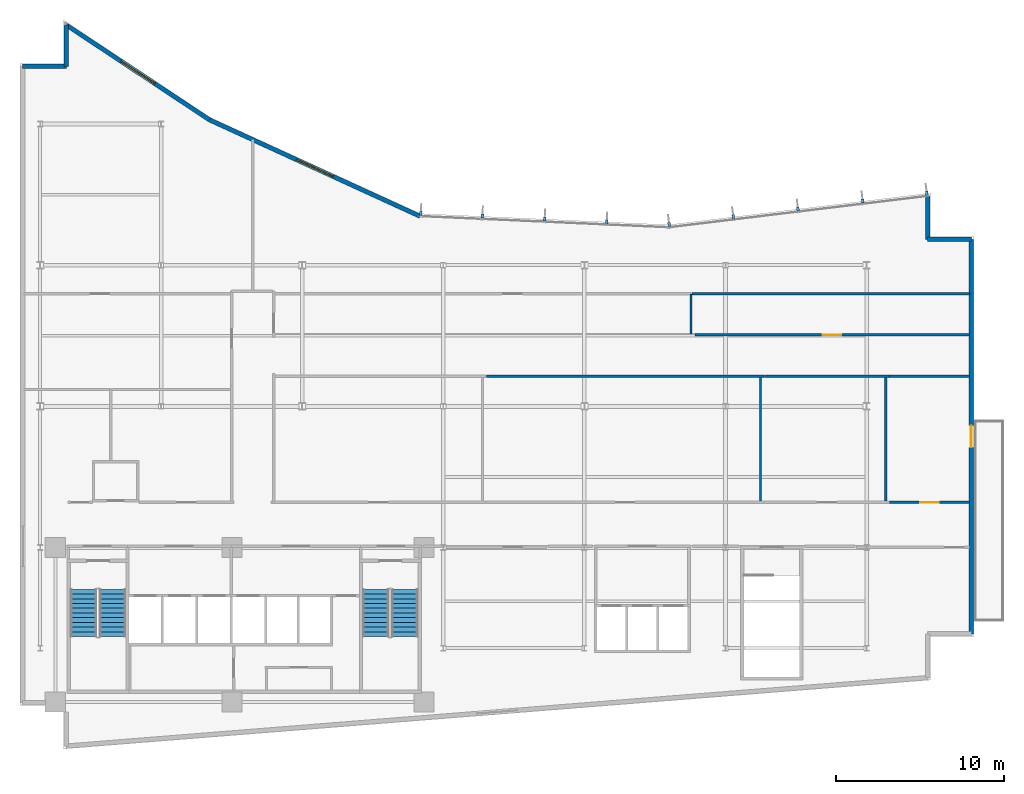
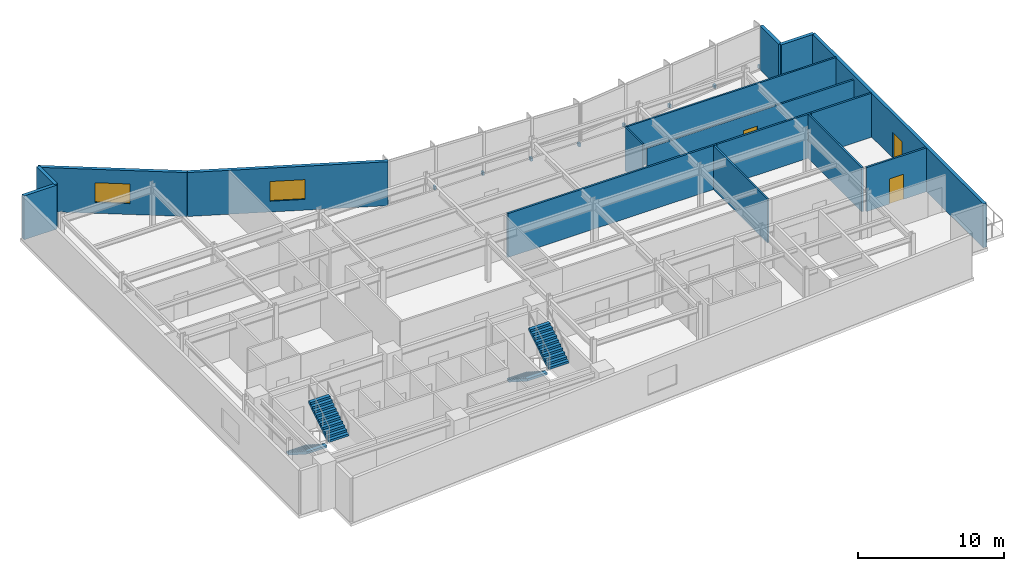
# One storey, part 12 of 16: 16 walls, 9 discrete accessories, 4 stair flights, 3 doors, 2 windows, 5 openings, 2 elements without a shape of their own.
"""IFC4 building model written with IfcOpenShell, lengths in metres."""

import ifcopenshell
import ifcopenshell.guid

model = None  # the IFC model being written
_history = None  # IfcOwnerHistory: only IFC2X3 demands one
_inside = {}  # id of a spatial element -> (the spatial element, [elements in it])
_under = {}  # id of a project, library or spatial element -> (it, [spatial elements below it])
_declared = {}  # id of a project -> (the project, [libraries it declares])
_typed = {}  # id of a type object -> (the type object, [elements of that type])
_made_of = {}  # id of a material, layer set ... -> (it, [elements and type objects made of it])


def new_model(schema):
    """Start an empty IFC model of exactly this schema.

    Asked for "IFC4X3", IfcOpenShell would pick the latest addendum, in which some entities
    have other attributes; the version numbers below select the first issue.
    IFC2X3 requires an IfcOwnerHistory on every rooted entity: one is made here for all.
    """
    global model, _history
    if schema == "IFC4X3":
        model = ifcopenshell.file(schema_version=(4, 3, 0, 0))
    else:
        model = ifcopenshell.file(schema=schema)
    _inside.clear()
    _under.clear()
    _declared.clear()
    _typed.clear()
    _made_of.clear()
    _history = None
    if model.schema == "IFC2X3":
        org = make("IfcOrganization", Name="unknown")
        user = make(
            "IfcPersonAndOrganization",
            ThePerson=make("IfcPerson", FamilyName="unknown"),
            TheOrganization=org,
        )
        app = make(
            "IfcApplication",
            ApplicationDeveloper=org,
            Version="unknown",
            ApplicationFullName="unknown",
            ApplicationIdentifier="unknown",
        )
        _history = make(
            "IfcOwnerHistory",
            OwningUser=user,
            OwningApplication=app,
            ChangeAction="ADDED",
            CreationDate=0,
        )
    return model


def make(cls, **values):
    """One entity of the class cls with the attributes given. An attribute that is None is left unset."""
    return model.create_entity(
        cls, **{name: value for name, value in values.items() if value is not None}
    )


def rooted(cls, **values):
    """An entity with a GlobalId (a new one), such as an element, a storey or a relation."""
    return make(cls, GlobalId=ifcopenshell.guid.new(), OwnerHistory=_history, **values)


def si_unit(unit_type, name, prefix=None):
    """IfcSIUnit, for example si_unit("LENGTHUNIT", "METRE", prefix="MILLI")."""
    return make("IfcSIUnit", UnitType=unit_type, Prefix=prefix, Name=name)


def assignment(units):
    """IfcUnitAssignment: the units of a project."""
    return None if units is None else make("IfcUnitAssignment", Units=units)


def point(xyz):
    """IfcCartesianPoint."""
    return None if xyz is None else make("IfcCartesianPoint", Coordinates=xyz)


def direction(xyz):
    """IfcDirection."""
    return None if xyz is None else make("IfcDirection", DirectionRatios=xyz)


def frame(location, z_axis=None, x_axis=None):
    """IfcAxis2Placement3D, a coordinate frame: its origin and axes. An axis left out is left unset."""
    return make(
        "IfcAxis2Placement3D",
        Location=point(location),
        Axis=direction(z_axis),
        RefDirection=direction(x_axis),
    )


def frame_2d(location, x_axis=None):
    """IfcAxis2Placement2D, a coordinate frame in the plane: its origin and x axis."""
    return make(
        "IfcAxis2Placement2D", Location=point(location), RefDirection=direction(x_axis)
    )


def origin():
    """The frame at (0, 0, 0) with its axes left unset."""
    return frame((0.0, 0.0, 0.0))


def origin_2d():
    """The frame at (0, 0) in the plane with its x axis left unset."""
    return frame_2d((0.0, 0.0))


def place(relative_to, where):
    """IfcLocalPlacement: puts the frame where relative to a parent placement (None: the world)."""
    return make(
        "IfcLocalPlacement", PlacementRelTo=relative_to, RelativePlacement=where
    )


def context(
    kind, dimensions, precision=None, world=None, true_north=None, identifier=None
):
    """IfcGeometricRepresentationContext, for example the 3D "Model" context."""
    return make(
        "IfcGeometricRepresentationContext",
        ContextIdentifier=identifier,
        ContextType=kind,
        CoordinateSpaceDimension=dimensions,
        Precision=precision,
        WorldCoordinateSystem=world,
        TrueNorth=true_north,
    )


def subcontext(parent, identifier, kind, view, scale=None):
    """IfcGeometricRepresentationSubContext, for example "Body" below "Model"."""
    return make(
        "IfcGeometricRepresentationSubContext",
        ContextIdentifier=identifier,
        ContextType=kind,
        ParentContext=parent,
        TargetScale=scale,
        TargetView=view,
    )


def project(units=None, contexts=None):
    """IfcProject with its units and contexts."""
    return rooted(
        "IfcProject",
        Name="project",
        RepresentationContexts=contexts,
        UnitsInContext=assignment(units),
    )


def spatial(cls, under=None, at=None, **own):
    """A site, building, storey or space (cls), placed at a placement, below another one or the project."""
    s = rooted(cls, ObjectPlacement=at, **own)
    if under is not None:
        _under.setdefault(under.id(), (under, []))[1].append(s)
    return s


def polyline(points):
    """IfcPolyline through the points."""
    return make("IfcPolyline", Points=[point(p) for p in points])


def profile(cls, at=None, kind="AREA", **sizes):
    """A parametric profile (cls). Its sizes go by their IFC names, for example OverallWidth=200.0."""
    return make(cls, ProfileType=kind, Position=at, **sizes)


def rectangle(**sizes):
    """IfcRectangleProfileDef."""
    return profile("IfcRectangleProfileDef", **sizes)


def outline(outer, holes=None, kind="AREA"):
    """IfcArbitraryClosedProfileDef: a profile drawn as a closed curve; with holes, ...WithVoids."""
    if holes is None:
        return make("IfcArbitraryClosedProfileDef", ProfileType=kind, OuterCurve=outer)
    return make(
        "IfcArbitraryProfileDefWithVoids",
        ProfileType=kind,
        OuterCurve=outer,
        InnerCurves=holes,
    )


def extrude(swept, where, along, depth):
    """IfcExtrudedAreaSolid: the profile swept, set in the frame where, extruded along a direction by depth."""
    return make(
        "IfcExtrudedAreaSolid",
        SweptArea=swept,
        Position=where,
        ExtrudedDirection=direction(along),
        Depth=depth,
    )


def shape(context_of_items, identifier, shape_type, items):
    """IfcShapeRepresentation: the items that make up one representation, for example the "Body"."""
    return make(
        "IfcShapeRepresentation",
        ContextOfItems=context_of_items,
        RepresentationIdentifier=identifier,
        RepresentationType=shape_type,
        Items=items,
    )


def material(Name=None, Category=None):
    """IfcMaterial."""
    return make("IfcMaterial", Name=Name, Category=Category)


def layer(
    of_material, thickness, ventilated=None, Name=None, Category=None, Priority=None
):
    """IfcMaterialLayer: one layer of a wall or slab, of a material (None: an air gap)."""
    return make(
        "IfcMaterialLayer",
        Material=of_material,
        LayerThickness=thickness,
        IsVentilated=ventilated,
        Name=Name,
        Category=Category,
        Priority=Priority,
    )


def layer_set(layers, Name=None):
    """IfcMaterialLayerSet."""
    return make("IfcMaterialLayerSet", MaterialLayers=layers, LayerSetName=Name)


def made_of(thing, what):
    """Note that an element or type object is made of a material, layer set ...; save() writes the relation."""
    if what is not None:
        _made_of.setdefault(what.id(), (what, []))[1].append(thing)
    return thing


def type_object(cls, material=None, **own):
    """A type object (cls), such as IfcWallType, which elements share."""
    return made_of(rooted(cls, **own), material)


def element(
    cls,
    number,
    at=None,
    inside=None,
    cuts=None,
    type_object=None,
    material=None,
    context=None,
    identifier="Body",
    shape_type=None,
    held_by="IfcProductDefinitionShape",
    body=None,
    shapes=None,
    **own,
):
    """One element of the class cls, such as IfcWall. Its Tag is "e" and its number.

    at: its placement. inside: the storey or other place that contains it. cuts: it is an
    opening in that element (IfcRelVoidsElement). A single representation is given by context,
    identifier, shape_type and body (its items); several are given by shapes. held_by: the class
    of the entity that holds the representations. save() writes the other relations.
    """
    e = rooted(cls, Tag="e%d" % number, ObjectPlacement=at, **own)
    if body is not None:
        shapes = [shape(context, identifier, shape_type, body)]
    if shapes is not None:
        e.Representation = make(held_by, Representations=shapes)
    if inside is not None:
        _inside.setdefault(inside.id(), (inside, []))[1].append(e)
    if cuts is not None:
        rooted(
            "IfcRelVoidsElement", RelatingBuildingElement=cuts, RelatedOpeningElement=e
        )
    if type_object is not None:
        _typed.setdefault(type_object.id(), (type_object, []))[1].append(e)
    return made_of(e, material)


def fill(opening, filler):
    """IfcRelFillsElement: the door or window that sits in an opening."""
    return rooted(
        "IfcRelFillsElement",
        RelatingOpeningElement=opening,
        RelatedBuildingElement=filler,
    )


def aggregate(whole, parts):
    """IfcRelAggregates: a whole, such as a stair, and the parts it consists of."""
    return rooted("IfcRelAggregates", RelatingObject=whole, RelatedObjects=parts)


def save(model, path):
    """Write the relations noted so far, then the file.

    IfcRelAggregates (storeys below a building ...), IfcRelContainedInSpatialStructure (elements
    in a storey), IfcRelDefinesByType, IfcRelAssociatesMaterial and IfcRelDeclares: one each for
    every whole, place, type object, material and project.
    """
    for whole, parts in _under.values():
        aggregate(whole, parts)
    for where, things in _inside.values():
        rooted(
            "IfcRelContainedInSpatialStructure",
            RelatedElements=things,
            RelatingStructure=where,
        )
    for kind, things in _typed.values():
        rooted("IfcRelDefinesByType", RelatedObjects=things, RelatingType=kind)
    for what, things in _made_of.values():
        rooted("IfcRelAssociatesMaterial", RelatedObjects=things, RelatingMaterial=what)
    for by, libraries in _declared.values():
        rooted("IfcRelDeclares", RelatingContext=by, RelatedDefinitions=libraries)
    model.write(path)


model = new_model("IFC4")

# Units and contexts
model_context = context("Model", 3, precision=1e-05, world=origin(), true_north=direction((0.0, 1.0)))
body_context = subcontext(model_context, "Body", "Model", "MODEL_VIEW")
ifc_project = project(units=[si_unit("LENGTHUNIT", "METRE"), si_unit("AREAUNIT", "SQUARE_METRE"), si_unit("VOLUMEUNIT", "CUBIC_METRE"), si_unit("PLANEANGLEUNIT", "RADIAN"), si_unit("MASSUNIT", "GRAM", prefix="KILO")], contexts=[model_context])

# Site, building, storey
site_placement = place(None, origin())
site = spatial("IfcSite", under=ifc_project, at=site_placement, CompositionType="ELEMENT")
building_placement = place(site_placement, origin())
building = spatial("IfcBuilding", under=site, at=building_placement, Name="Varnakote Quay Hospital", CompositionType="ELEMENT")
storey_placement = place(building_placement, frame((0.0, 0.0, 170.5)))
storey = spatial("IfcBuildingStorey", under=building, at=storey_placement, Name="L42", CompositionType="ELEMENT", Elevation=170.5)

# Wall, opening, door
ifc_material_1 = material(Name="Precast concrete N50 (f'c 50 MPa)", Category="concrete")
ifc_layer_1 = layer(ifc_material_1, 0.260009765625)
ifc_layer_set_1 = layer_set([ifc_layer_1], Name="Precast concrete N50 (f'c 50 MPa)")
wall_type_1 = type_object("IfcWallType", Name="WL-EXT-BRICK-260", PredefinedType="STANDARD", material=ifc_layer_set_1)
wall_1_placement = place(storey_placement, frame((56.639892578125, 6.860107421875, 0.0), z_axis=(0.0, 0.0, 1.0), x_axis=(0.0, 1.0, 0.0)))
wall_1 = element("IfcWall", 1, at=wall_1_placement, inside=storey, type_object=wall_type_1, Name="L42 Healing Terrace Portal Brick Wall", PredefinedType="STANDARD", context=body_context, shape_type="SweptSolid", body=[
    extrude(rectangle(XDim=23.47998046875, YDim=0.260009765625, at=frame_2d((11.739990234375, 0.0))), origin(), (0.0, 0.0, 1.0), 3.669921875),
])
opening_1_placement = place(wall_1_placement, frame((11.090087890625, 0.0, 0.0)))
opening_1 = element("IfcOpeningElement", 2, at=opening_1_placement, cuts=wall_1, Name="Opening DT-L42", PredefinedType="OPENING", context=body_context, shape_type="SweptSolid", body=[
    extrude(rectangle(XDim=1.300048828125, YDim=2.14990234375, at=frame_2d((0.64990234375, 1.074951171875))), frame((0.0, 0.139892578125, 0.0), z_axis=(0.0, -1.0, 0.0), x_axis=(1.0, 0.0, 0.0)), (0.0, 0.0, 1.0), 0.280029296875),
])
ifc_material_2 = material(Name="Anodised aluminium glazed terrace door", Category="aluminium")
door_type_1 = type_object("IfcDoorType", Name="DR-EXT-TERR-1300x2150", OperationType="NOTDEFINED", PredefinedType="DOOR", material=ifc_material_2)
door_1_placement = place(opening_1_placement, origin())
door_1 = element("IfcDoor", 3, at=door_1_placement, inside=storey, type_object=door_type_1, Name="L42 Waterfront Healing Terrace Door", OperationType="SINGLE_SWING_LEFT", OverallHeight=2.14990234375, OverallWidth=1.300048828125, PredefinedType="DOOR", context=body_context, shape_type="SweptSolid", body=[
    extrude(rectangle(XDim=1.300048828125, YDim=2.14990234375, at=frame_2d((0.64990234375, 1.074951171875))), frame((0.0, 0.02490234375, 0.0), z_axis=(0.0, -1.0, 0.0), x_axis=(1.0, 0.0, 0.0)), (0.0, 0.0, 1.0), 0.050048828125),
])
fill(opening_1, door_1)

# Walls
wall_2_placement = place(storey_placement, frame((56.639892578125, 30.340087890625, 0.0), z_axis=(0.0, 0.0, 1.0), x_axis=(-1.0, 0.0, 0.0)))
element("IfcWall", 4, at=wall_2_placement, inside=storey, type_object=wall_type_1, Name="L42 Brick-Faced Precast Exterior Wall", PredefinedType="STANDARD", context=body_context, shape_type="SweptSolid", body=[
    extrude(rectangle(XDim=2.599853515625, YDim=0.260009765625, at=frame_2d((1.2998046875, 0.0))), origin(), (0.0, 0.0, 1.0), 3.669921875),
])
wall_3_placement = place(storey_placement, frame((54.0400390625, 30.340087890625, 0.0), z_axis=(0.0, 0.0, 1.0), x_axis=(0.0, 1.0, 0.0)))
element("IfcWall", 5, at=wall_3_placement, inside=storey, type_object=wall_type_1, Name="L42 Brick-Faced Precast Exterior Wall", PredefinedType="STANDARD", context=body_context, shape_type="SweptSolid", body=[
    extrude(rectangle(XDim=2.579345703125, YDim=0.260009765625, at=frame_2d((1.28955078125, 0.0))), origin(), (0.0, 0.0, 1.0), 3.669921875),
])

# Wall, opening, window
wall_4_placement = place(storey_placement, frame((23.817626953125, 31.715576171875, 0.0), z_axis=(0.0, 0.0, 1.0), x_axis=(-0.909209527513, 0.416338846471, 0.0)))
wall_4 = element("IfcWall", 6, at=wall_4_placement, inside=storey, type_object=wall_type_1, Name="L42 Brick-Faced Precast Exterior Wall", PredefinedType="STANDARD", context=body_context, shape_type="SweptSolid", body=[
    extrude(rectangle(XDim=13.787353515625, YDim=0.260009765625, at=frame_2d((6.8935546875, 0.0))), origin(), (0.0, 0.0, 1.0), 3.669921875),
])
opening_2_placement = place(wall_4_placement, frame((5.693603515625, 0.0, 0.89990234375)))
opening_2 = element("IfcOpeningElement", 7, at=opening_2_placement, cuts=wall_4, Name="Opening WN-0179", PredefinedType="OPENING", context=body_context, shape_type="SweptSolid", body=[
    extrude(rectangle(XDim=2.39990234375, YDim=1.64990234375, at=frame_2d((1.199951171875, 0.824951171875))), frame((0.0, 0.139892578125, 0.0), z_axis=(0.0, -1.0, 0.0), x_axis=(1.0, 0.0, 0.0)), (0.0, 0.0, 1.0), 0.280029296875),
])
ifc_material_3 = material(Name="Double-glazed low-E solar glass", Category="glass")
window_type = type_object("IfcWindowType", Name="WIN-CLIN-2400x1650", PartitioningType="SINGLE_PANEL", PredefinedType="WINDOW", material=ifc_material_3)
window_1_placement = place(opening_2_placement, origin())
window_1 = element("IfcWindow", 8, at=window_1_placement, inside=storey, type_object=window_type, Name="L42 Solar-Control Clinical Window", OverallHeight=1.64990234375, OverallWidth=2.39990234375, PartitioningType="SINGLE_PANEL", PredefinedType="WINDOW", context=body_context, shape_type="SweptSolid", body=[
    extrude(rectangle(XDim=2.39990234375, YDim=1.64990234375, at=frame_2d((1.199951171875, 0.824951171875))), frame((0.0, 0.030029296875, 0.0), z_axis=(0.0, -1.0, 0.0), x_axis=(1.0, 0.0, 0.0)), (0.0, 0.0, 1.0), 0.06005859375),
])
fill(opening_2, window_1)

wall_5_placement = place(storey_placement, frame((11.281982421875, 37.455810546875, 0.0), z_axis=(0.0, 0.0, 1.0), x_axis=(-0.833630474253, 0.552322580017, 0.0)))
wall_5 = element("IfcWall", 9, at=wall_5_placement, inside=storey, type_object=wall_type_1, Name="L42 Brick-Faced Precast Exterior Wall", PredefinedType="STANDARD", context=body_context, shape_type="SweptSolid", body=[
    extrude(rectangle(XDim=10.22265625, YDim=0.260009765625, at=frame_2d((5.111328125, 0.0))), origin(), (0.0, 0.0, 1.0), 3.669921875),
])
opening_3_placement = place(wall_5_placement, frame((3.911376953125, 0.0, 0.89990234375)))
opening_3 = element("IfcOpeningElement", 10, at=opening_3_placement, cuts=wall_5, Name="Opening WN-0180", PredefinedType="OPENING", context=body_context, shape_type="SweptSolid", body=[
    extrude(rectangle(XDim=2.39990234375, YDim=1.64990234375, at=frame_2d((1.199951171875, 0.824951171875))), frame((0.0, 0.139892578125, 0.0), z_axis=(0.0, -1.0, 0.0), x_axis=(1.0, 0.0, 0.0)), (0.0, 0.0, 1.0), 0.280029296875),
])
window_2_placement = place(opening_3_placement, origin())
window_2 = element("IfcWindow", 11, at=window_2_placement, inside=storey, type_object=window_type, Name="L42 Solar-Control Clinical Window", OverallHeight=1.64990234375, OverallWidth=2.39990234375, PartitioningType="SINGLE_PANEL", PredefinedType="WINDOW", context=body_context, shape_type="SweptSolid", body=[
    extrude(rectangle(XDim=2.39990234375, YDim=1.64990234375, at=frame_2d((1.199951171875, 0.824951171875))), frame((0.0, 0.030029296875, 0.0), z_axis=(0.0, -1.0, 0.0), x_axis=(1.0, 0.0, 0.0)), (0.0, 0.0, 1.0), 0.06005859375),
])
fill(opening_3, window_2)

# Walls
wall_6_placement = place(storey_placement, frame((2.760009765625, 43.10205078125, 0.0), z_axis=(0.0, 0.0, 1.0), x_axis=(0.0, -1.0, 0.0)))
element("IfcWall", 12, at=wall_6_placement, inside=storey, type_object=wall_type_1, Name="L42 Brick-Faced Precast Exterior Wall", PredefinedType="STANDARD", context=body_context, shape_type="SweptSolid", body=[
    extrude(rectangle(XDim=2.462158203125, YDim=0.260009765625, at=frame_2d((1.23095703125, 0.0))), origin(), (0.0, 0.0, 1.0), 3.669921875),
])
wall_7_placement = place(storey_placement, frame((2.760009765625, 40.639892578125, 0.0), z_axis=(0.0, 0.0, 1.0), x_axis=(-1.0, 0.0, 0.0)))
element("IfcWall", 13, at=wall_7_placement, inside=storey, type_object=wall_type_1, Name="L42 Brick-Faced Precast Exterior Wall", PredefinedType="STANDARD", context=body_context, shape_type="SweptSolid", body=[
    extrude(rectangle(XDim=2.60009765625, YDim=0.260009765625, at=frame_2d((1.300048828125, 0.0))), origin(), (0.0, 0.0, 1.0), 3.669921875),
])
ifc_material_4 = material(Name="Smoke-proof clinical partition", Category="gypsum")
ifc_layer_2 = layer(ifc_material_4, 0.135009765625)
ifc_layer_set_2 = layer_set([ifc_layer_2], Name="Smoke-proof clinical partition")
wall_type_2 = type_object("IfcWallType", Name="WL-SMOKE-135", PredefinedType="PARTITIONING", material=ifc_layer_set_2)
for number, where, z_axis, x_axis, name in (
    (14, (44.080078125, 14.760009765625, 0.0), (0.0, 0.0, 1.0), (0.0, 1.0, 0.0), "L42 Clinical Interior Partition"),
    (15, (51.5400390625, 14.760009765625, 0.0), (0.0, 0.0, 1.0), (0.0, 1.0, 0.0), "L42 Clinical Interior Partition"),
):
    element("IfcWall", number, at=place(storey_placement, frame(where, z_axis=z_axis, x_axis=x_axis)), inside=storey, type_object=wall_type_2, Name=name, PredefinedType="PARTITIONING", context=body_context, shape_type="SweptSolid", body=[
        extrude(rectangle(XDim=7.360107421875, YDim=0.135009765625, at=frame_2d((3.68017578125, 0.0))), origin(), (0.0, 0.0, 1.0), 3.669921875),
    ])
wall_8_placement = place(storey_placement, frame((39.949951171875, 24.715087890625, 0.0), z_axis=(0.0, 0.0, 1.0), x_axis=(0.0, 1.0, 0.0)))
element("IfcWall", 16, at=wall_8_placement, inside=storey, type_object=wall_type_2, Name="L42 Clinical Interior Partition", PredefinedType="PARTITIONING", context=body_context, shape_type="SweptSolid", body=[
    extrude(rectangle(XDim=2.385009765625, YDim=0.135009765625, at=frame_2d((1.1923828125, 0.0))), origin(), (0.0, 0.0, 1.0), 3.669921875),
])
wall_9_placement = place(storey_placement, frame((56.56005859375, 27.10009765625, 0.0), z_axis=(0.0, 0.0, 1.0), x_axis=(-1.0, 0.0, 0.0)))
element("IfcWall", 17, at=wall_9_placement, inside=storey, type_object=wall_type_2, Name="L42 Clinical Interior Partition", PredefinedType="PARTITIONING", context=body_context, shape_type="SweptSolid", body=[
    extrude(rectangle(XDim=16.552490234375, YDim=0.135009765625, at=frame_2d((8.2763671875, 0.0))), origin(), (0.0, 0.0, 1.0), 3.669921875),
])

# Wall, opening, door
ifc_material_5 = material(Name="Fire-rated clinical gypsum partition", Category="gypsum")
ifc_layer_3 = layer(ifc_material_5, 0.14990234375)
ifc_layer_set_3 = layer_set([ifc_layer_3], Name="Fire-rated clinical gypsum partition")
wall_type_3 = type_object("IfcWallType", Name="WL-WARD-150", PredefinedType="PARTITIONING", material=ifc_layer_set_3)
wall_10_placement = place(storey_placement, frame((56.52001953125, 14.679931640625, 0.0), z_axis=(0.0, 0.0, 1.0), x_axis=(-1.0, 0.0, 0.0)))
wall_10 = element("IfcWall", 18, at=wall_10_placement, inside=storey, type_object=wall_type_3, Name="L42 Clinical Interior Partition", PredefinedType="PARTITIONING", context=body_context, shape_type="SweptSolid", body=[
    extrude(rectangle(XDim=4.751953125, YDim=0.14990234375, at=frame_2d((2.3759765625, 0.0))), origin(), (0.0, 0.0, 1.0), 3.669921875),
])
opening_4_placement = place(wall_10_placement, frame((1.825927734375, 0.0, 0.0)))
opening_4 = element("IfcOpeningElement", 19, at=opening_4_placement, cuts=wall_10, Name="Opening D-L42-WPNT", PredefinedType="OPENING", context=body_context, shape_type="SweptSolid", body=[
    extrude(rectangle(XDim=1.10009765625, YDim=2.10009765625, at=frame_2d((0.550048828125, 1.050048828125))), frame((0.0, 0.0849609375, 0.0), z_axis=(0.0, -1.0, 0.0), x_axis=(1.0, 0.0, 0.0)), (0.0, 0.0, 1.0), 0.169921875),
])
ifc_material_6 = material(Name="Acoustic timber clinical consult door", Category="wood")
door_type_2 = type_object("IfcDoorType", Name="DR-CLIN-FD30S-1100x2100", OperationType="NOTDEFINED", PredefinedType="DOOR", material=ifc_material_6)
door_2_placement = place(opening_4_placement, origin())
door_2 = element("IfcDoor", 20, at=door_2_placement, inside=storey, type_object=door_type_2, Name="L42 Ward Clinical Nutrition Pantry Door", OperationType="SINGLE_SWING_LEFT", OverallHeight=2.10009765625, OverallWidth=1.10009765625, PredefinedType="DOOR", context=body_context, shape_type="SweptSolid", body=[
    extrude(rectangle(XDim=1.10009765625, YDim=2.10009765625, at=frame_2d((0.550048828125, 1.050048828125))), frame((0.0, 0.02490234375, 0.0), z_axis=(0.0, -1.0, 0.0), x_axis=(1.0, 0.0, 0.0)), (0.0, 0.0, 1.0), 0.050048828125),
])
fill(opening_4, door_2)

# Walls
wall_11_placement = place(storey_placement, frame((27.758056640625, 22.199951171875, 0.0), z_axis=(0.0, 0.0, 1.0), x_axis=(1.0, 0.0, 0.0)))
element("IfcWall", 21, at=wall_11_placement, inside=storey, type_object=wall_type_3, Name="L42 Clinical Interior Partition", PredefinedType="PARTITIONING", context=body_context, shape_type="SweptSolid", body=[
    extrude(rectangle(XDim=16.5478515625, YDim=0.14990234375, at=frame_2d((8.27392578125, 0.0))), origin(), (0.0, 0.0, 1.0), 3.669921875),
])
wall_12_placement = place(storey_placement, frame((44.30810546875, 22.199951171875, 0.0), z_axis=(0.0, 0.0, 1.0), x_axis=(1.0, 0.0, 0.0)))
element("IfcWall", 22, at=wall_12_placement, inside=storey, type_object=wall_type_3, Name="L42 Clinical Interior Partition", PredefinedType="PARTITIONING", context=body_context, shape_type="SweptSolid", body=[
    extrude(rectangle(XDim=7.4580078125, YDim=0.14990234375, at=frame_2d((3.72900390625, 0.0))), origin(), (0.0, 0.0, 1.0), 3.669921875),
])
wall_13_placement = place(storey_placement, frame((51.76806640625, 22.199951171875, 0.0), z_axis=(0.0, 0.0, 1.0), x_axis=(1.0, 0.0, 0.0)))
element("IfcWall", 23, at=wall_13_placement, inside=storey, type_object=wall_type_3, Name="L42 Clinical Interior Partition", PredefinedType="PARTITIONING", context=body_context, shape_type="SweptSolid", body=[
    extrude(rectangle(XDim=4.751953125, YDim=0.14990234375, at=frame_2d((2.3759765625, 0.0))), origin(), (0.0, 0.0, 1.0), 3.669921875),
])

# Wall, opening, door
wall_14_placement = place(storey_placement, frame((56.52001953125, 24.64990234375, 0.0), z_axis=(0.0, 0.0, 1.0), x_axis=(-1.0, 0.0, 0.0)))
wall_14 = element("IfcWall", 24, at=wall_14_placement, inside=storey, type_object=wall_type_3, Name="L42 Clinical Interior Partition", PredefinedType="PARTITIONING", context=body_context, shape_type="SweptSolid", body=[
    extrude(rectangle(XDim=16.342041015625, YDim=0.14990234375, at=frame_2d((8.1708984375, 0.0))), origin(), (0.0, 0.0, 1.0), 3.2890625),
])
opening_5_placement = place(wall_14_placement, frame((7.62109375, 0.0, 0.0)))
opening_5 = element("IfcOpeningElement", 25, at=opening_5_placement, cuts=wall_14, Name="Opening D-L42-MD07", PredefinedType="OPENING", context=body_context, shape_type="SweptSolid", body=[
    extrude(rectangle(XDim=1.10009765625, YDim=2.10009765625, at=frame_2d((0.550048828125, 1.050048828125))), frame((0.0, 0.0849609375, 0.0), z_axis=(0.0, -1.0, 0.0), x_axis=(1.0, 0.0, 0.0)), (0.0, 0.0, 1.0), 0.169921875),
])
door_3_placement = place(opening_5_placement, origin())
door_3 = element("IfcDoor", 26, at=door_3_placement, inside=storey, type_object=door_type_2, Name="L42 Ward Beverage Pantry Door", OperationType="SINGLE_SWING_RIGHT", OverallHeight=2.10009765625, OverallWidth=1.10009765625, PredefinedType="DOOR", context=body_context, shape_type="SweptSolid", body=[
    extrude(rectangle(XDim=1.10009765625, YDim=2.10009765625, at=frame_2d((0.550048828125, 1.050048828125))), frame((0.0, 0.02490234375, 0.0), z_axis=(0.0, -1.0, 0.0), x_axis=(1.0, 0.0, 0.0)), (0.0, 0.0, 1.0), 0.050048828125),
])
fill(opening_5, door_3)

# Stair, stair flights
ifc_material_7 = material(Name="Concrete N40 (f'c 40 MPa)", Category="concrete")
stair_type = type_object("IfcStairType", Name="STR-CORE-1580", PredefinedType="HALF_TURN_STAIR", material=ifc_material_7)
stair_1_placement = place(storey_placement, origin())
stair_1 = element("IfcStair", 27, at=stair_1_placement, inside=storey, type_object=stair_type, Name="L42 Fire-Isolated Exit Stair ST-01", PredefinedType="HALF_TURN_STAIR")
ifc_material_8 = material(Name="Concrete N40 (f'c 40 MPa)", Category="concrete")
ifc_layer_4 = layer(ifc_material_8, 0.159912109375)
ifc_layer_set_4 = layer_set([ifc_layer_4], Name="Concrete N40 (f'c 40 MPa)")
stair_flight_type = type_object("IfcStairFlightType", Name="FLT-CORE-1580", PredefinedType="STRAIGHT", material=ifc_layer_set_4)
stair_flight_1_placement = place(storey_placement, frame((3.7900390625, 9.5, 0.0), z_axis=(0.0, 0.0, 1.0), x_axis=(0.0, -1.0, 0.0)))
stair_flight_1 = element("IfcStairFlight", 28, at=stair_flight_1_placement, type_object=stair_flight_type, Name="ST-01 flight 1", NumberOfRisers=11, NumberOfTreads=10, PredefinedType="STRAIGHT", RiserHeight=0.179545455, TreadLength=0.28, context=body_context, shape_type="SweptSolid", body=[
    extrude(outline(polyline([(0.0, 0.0), (0.0, 0.179443359375), (0.280029296875, 0.179443359375), (0.280029296875, 0.359130859375), (0.56005859375, 0.359130859375), (0.56005859375, 0.53857421875), (0.840087890625, 0.53857421875), (0.840087890625, 0.71826171875), (1.1201171875, 0.71826171875), (1.1201171875, 0.897705078125), (1.39990234375, 0.897705078125), (1.39990234375, 1.077392578125), (1.679931640625, 1.077392578125), (1.679931640625, 1.2568359375), (1.9599609375, 1.2568359375), (1.9599609375, 1.436279296875), (2.239990234375, 1.436279296875), (2.239990234375, 1.615966796875), (2.52001953125, 1.615966796875), (2.52001953125, 1.79541015625), (2.800048828125, 1.79541015625), (2.800048828125, 1.97509765625), (2.800048828125, 1.60546875), (0.296142578125, 0.0), (0.0, 0.0)])), frame((0.0, 0.7900390625, 0.0), z_axis=(0.0, -1.0, 0.0), x_axis=(1.0, 0.0, 0.0)), (0.0, 0.0, 1.0), 1.580078125),
])
stair_flight_2_placement = place(storey_placement, frame((5.510009765625, 6.699951171875, 1.97509765625), z_axis=(0.0, 0.0, 1.0), x_axis=(0.0, 1.0, 0.0)))
stair_flight_2 = element("IfcStairFlight", 29, at=stair_flight_2_placement, type_object=stair_flight_type, Name="ST-01 flight 2", NumberOfRisers=11, NumberOfTreads=10, PredefinedType="STRAIGHT", RiserHeight=0.179545455, TreadLength=0.28, context=body_context, shape_type="SweptSolid", body=[
    extrude(outline(polyline([(0.0, 0.0), (0.0, 0.179443359375), (0.280029296875, 0.179443359375), (0.280029296875, 0.359130859375), (0.56005859375, 0.359130859375), (0.56005859375, 0.53857421875), (0.840087890625, 0.53857421875), (0.840087890625, 0.71826171875), (1.1201171875, 0.71826171875), (1.1201171875, 0.897705078125), (1.39990234375, 0.897705078125), (1.39990234375, 1.077392578125), (1.679931640625, 1.077392578125), (1.679931640625, 1.2568359375), (1.9599609375, 1.2568359375), (1.9599609375, 1.436279296875), (2.239990234375, 1.436279296875), (2.239990234375, 1.615966796875), (2.52001953125, 1.615966796875), (2.52001953125, 1.79541015625), (2.800048828125, 1.79541015625), (2.800048828125, 1.97509765625), (2.800048828125, 1.60546875), (0.296142578125, 0.0), (0.0, 0.0)])), frame((0.0, 0.7900390625, 0.0), z_axis=(0.0, -1.0, 0.0), x_axis=(1.0, 0.0, 0.0)), (0.0, 0.0, 1.0), 1.580078125),
])
aggregate(stair_1, [stair_flight_1, stair_flight_2])

stair_2_placement = place(storey_placement, origin())
stair_2 = element("IfcStair", 30, at=stair_2_placement, inside=storey, type_object=stair_type, Name="L42 Fire-Isolated Exit Stair ST-02", PredefinedType="HALF_TURN_STAIR")
stair_flight_3_placement = place(storey_placement, frame((21.18994140625, 9.5, 0.0), z_axis=(0.0, 0.0, 1.0), x_axis=(0.0, -1.0, 0.0)))
stair_flight_3 = element("IfcStairFlight", 31, at=stair_flight_3_placement, type_object=stair_flight_type, Name="ST-02 flight 1", NumberOfRisers=11, NumberOfTreads=10, PredefinedType="STRAIGHT", RiserHeight=0.179545455, TreadLength=0.28, context=body_context, shape_type="SweptSolid", body=[
    extrude(outline(polyline([(0.0, 0.0), (0.0, 0.179443359375), (0.280029296875, 0.179443359375), (0.280029296875, 0.359130859375), (0.56005859375, 0.359130859375), (0.56005859375, 0.53857421875), (0.840087890625, 0.53857421875), (0.840087890625, 0.71826171875), (1.1201171875, 0.71826171875), (1.1201171875, 0.897705078125), (1.39990234375, 0.897705078125), (1.39990234375, 1.077392578125), (1.679931640625, 1.077392578125), (1.679931640625, 1.2568359375), (1.9599609375, 1.2568359375), (1.9599609375, 1.436279296875), (2.239990234375, 1.436279296875), (2.239990234375, 1.615966796875), (2.52001953125, 1.615966796875), (2.52001953125, 1.79541015625), (2.800048828125, 1.79541015625), (2.800048828125, 1.97509765625), (2.800048828125, 1.60546875), (0.296142578125, 0.0), (0.0, 0.0)])), frame((0.0, 0.7900390625, 0.0), z_axis=(0.0, -1.0, 0.0), x_axis=(1.0, 0.0, 0.0)), (0.0, 0.0, 1.0), 1.580078125),
])
stair_flight_4_placement = place(storey_placement, frame((22.909912109375, 6.699951171875, 1.97509765625), z_axis=(0.0, 0.0, 1.0), x_axis=(0.0, 1.0, 0.0)))
stair_flight_4 = element("IfcStairFlight", 32, at=stair_flight_4_placement, type_object=stair_flight_type, Name="ST-02 flight 2", NumberOfRisers=11, NumberOfTreads=10, PredefinedType="STRAIGHT", RiserHeight=0.179545455, TreadLength=0.28, context=body_context, shape_type="SweptSolid", body=[
    extrude(outline(polyline([(0.0, 0.0), (0.0, 0.179443359375), (0.280029296875, 0.179443359375), (0.280029296875, 0.359130859375), (0.56005859375, 0.359130859375), (0.56005859375, 0.53857421875), (0.840087890625, 0.53857421875), (0.840087890625, 0.71826171875), (1.1201171875, 0.71826171875), (1.1201171875, 0.897705078125), (1.39990234375, 0.897705078125), (1.39990234375, 1.077392578125), (1.679931640625, 1.077392578125), (1.679931640625, 1.2568359375), (1.9599609375, 1.2568359375), (1.9599609375, 1.436279296875), (2.239990234375, 1.436279296875), (2.239990234375, 1.615966796875), (2.52001953125, 1.615966796875), (2.52001953125, 1.79541015625), (2.800048828125, 1.79541015625), (2.800048828125, 1.97509765625), (2.800048828125, 1.60546875), (0.296142578125, 0.0), (0.0, 0.0)])), frame((0.0, 0.7900390625, 0.0), z_axis=(0.0, -1.0, 0.0), x_axis=(1.0, 0.0, 0.0)), (0.0, 0.0, 1.0), 1.580078125),
])
aggregate(stair_2, [stair_flight_3, stair_flight_4])

# Discrete accessories
ifc_material_9 = material(Name="Anodised aluminium 6063-T6 Bronze", Category="aluminium")
discrete_accessory_type = type_object("IfcDiscreteAccessoryType", Name="ACC-FIN-BRACKET-180", PredefinedType="BRACKET", material=ifc_material_9)
for number, where, z_axis, x_axis, name in (
    (33, (53.982421875, 33.083740234375, 0.0), (0.0, 0.0, 1.0), (-0.992736358975, -0.120310105847, 0.0), "L42 Curtain Wall Fin Fixing Bracket"),
    (34, (50.1669921875, 32.62109375, 0.0), (0.0, 0.0, 1.0), (-0.992736358975, -0.120310105847, 0.0), "L42 Curtain Wall Fin Fixing Bracket"),
    (35, (46.314697265625, 32.154296875, 0.0), (0.0, 0.0, 1.0), (-0.992736358975, -0.120310105847, 0.0), "L42 Curtain Wall Fin Fixing Bracket"),
    (36, (42.462158203125, 31.687255859375, 0.0), (0.0, 0.0, 1.0), (-0.992736358975, -0.120310105847, 0.0), "L42 Curtain Wall Fin Fixing Bracket"),
    (37, (38.64697265625, 31.224853515625, 0.0), (0.0, 0.0, 1.0), (-0.992736358975, -0.120310105847, 0.0), "L42 Curtain Wall Fin Fixing Bracket"),
    (38, (34.9345703125, 31.387451171875, 0.0), (0.0, 0.0, 1.0), (-0.998994184858, 0.044839922168, 0.0), "L42 Curtain Wall Fin Fixing Bracket"),
    (39, (31.2314453125, 31.553466796875, 0.0), (0.0, 0.0, 1.0), (-0.998994184858, 0.044839922168, 0.0), "L42 Curtain Wall Fin Fixing Bracket"),
    (40, (27.5283203125, 31.719482421875, 0.0), (0.0, 0.0, 1.0), (-0.998994184858, 0.044839922168, 0.0), "L42 Curtain Wall Fin Fixing Bracket"),
    (41, (23.86279296875, 31.8837890625, 0.0), (0.0, 0.0, 1.0), (-0.998994184858, 0.044839922168, 0.0), "L42 Curtain Wall Fin Fixing Bracket"),
):
    element("IfcDiscreteAccessory", number, at=place(storey_placement, frame(where, z_axis=z_axis, x_axis=x_axis)), inside=storey, type_object=discrete_accessory_type, Name=name, PredefinedType="BRACKET", context=body_context, shape_type="SweptSolid", body=[
        extrude(rectangle(XDim=0.159912109375, YDim=0.239990234375, at=origin_2d()), origin(), (0.0, 0.0, 1.0), 0.280029296875),
    ])

save(model, "model.ifc")
